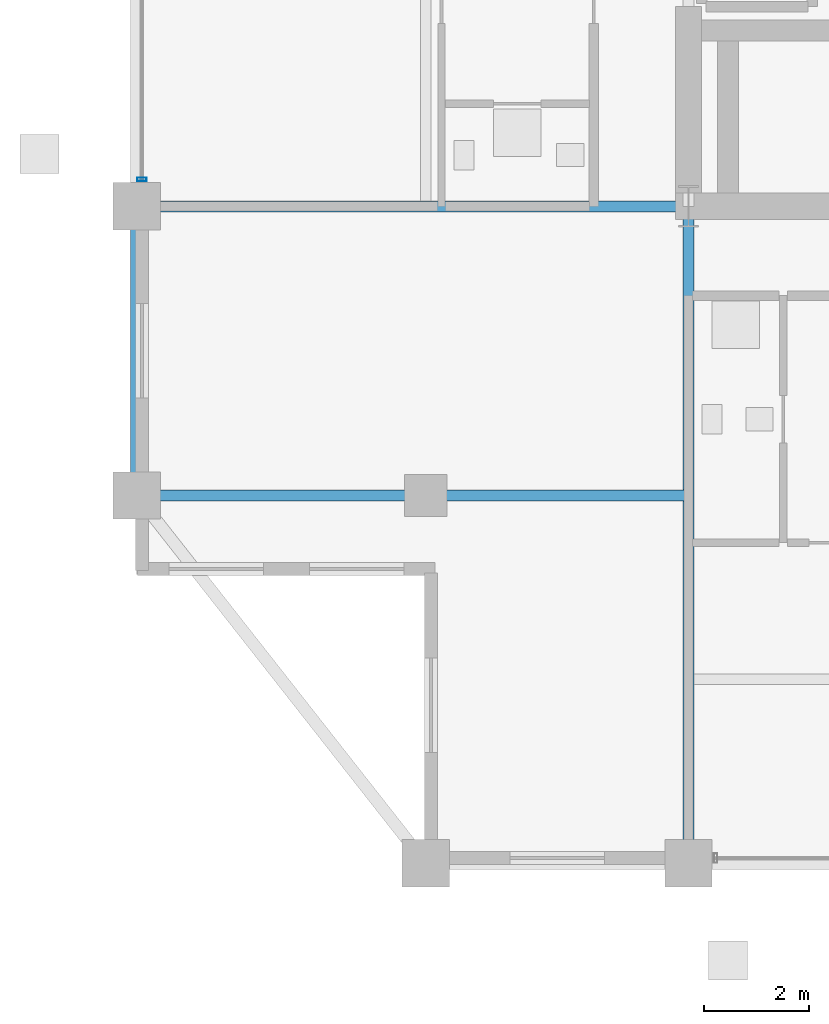
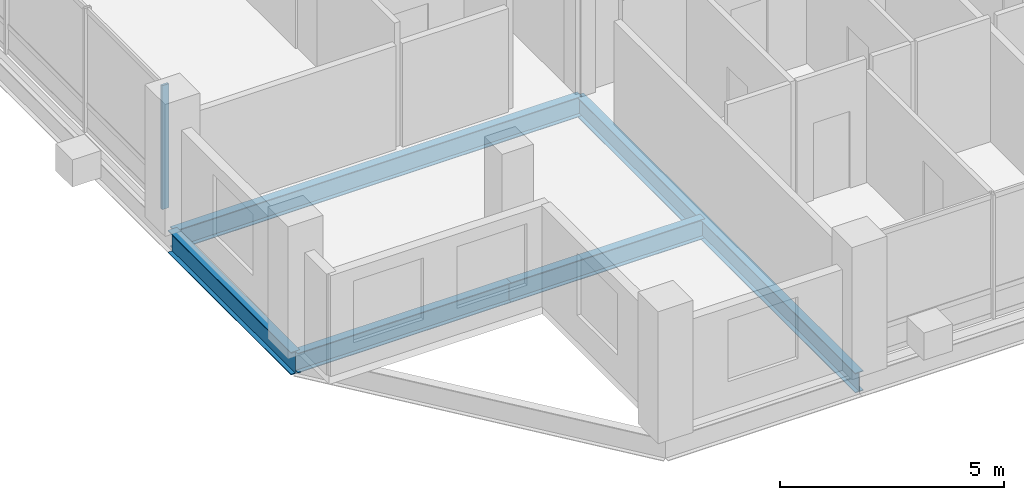
# One storey, part 3 of 22: 5 beams, 1 member, 1 element without a shape of its own.
"""IFC4 building model written with IfcOpenShell, lengths in metres."""

from ifc_helpers import new_model, si_unit, direction, frame, origin, origin_2d, place, context, subcontext, project, spatial, hollow_rectangle, i_section, extrude, material, layer, layer_set, material_profile, profile_set, type_object, element, aggregate, save


model = new_model("IFC4")

# Units and contexts
model_context = context("Model", 3, precision=1e-05, world=origin(), true_north=direction((0.0, 1.0)))
body_context = subcontext(model_context, "Body", "Model", "MODEL_VIEW")
ifc_project = project(units=[si_unit("LENGTHUNIT", "METRE"), si_unit("AREAUNIT", "SQUARE_METRE"), si_unit("VOLUMEUNIT", "CUBIC_METRE"), si_unit("PLANEANGLEUNIT", "RADIAN"), si_unit("MASSUNIT", "GRAM", prefix="KILO")], contexts=[model_context])

# Site, building, storey
site_placement = place(None, origin())
site = spatial("IfcSite", under=ifc_project, at=site_placement, CompositionType="ELEMENT")
building_placement = place(site_placement, origin())
building = spatial("IfcBuilding", under=site, at=building_placement, Name="Barlavira Tower and Art Museum", CompositionType="ELEMENT")
storey_placement = place(building_placement, frame((0.0, 0.0, 243.89990234375)))
storey = spatial("IfcBuildingStorey", under=building, at=storey_placement, Name="L63", CompositionType="ELEMENT", Elevation=243.89990234375)

# Curtain wall, member
ifc_material_1 = material(Name="Low-iron coastal laminated glass", Category="glass")
ifc_layer = layer(ifc_material_1, 0.2099609375, Name="Low-iron coastal laminated glass")
ifc_layer_set = layer_set([ifc_layer], Name="Low-iron coastal laminated glass")
curtain_wall_type = type_object("IfcCurtainWallType", Name="Pale-Metal Unitised Curtain Wall Zone 4", PredefinedType="NOTDEFINED", material=ifc_layer_set)
curtain_wall_placement = place(storey_placement, origin())
curtain_wall = element("IfcCurtainWall", 1, at=curtain_wall_placement, inside=storey, type_object=curtain_wall_type, Name="L63 Curtain Wall CW4-L63-W-B3", PredefinedType="NOTDEFINED")
ifc_material_2 = material(Name="Pale anodised aluminium", Category="aluminium")
ifc_material_profile_1 = material_profile(ifc_material_2, hollow_rectangle(XDim=0.06494140625, YDim=0.179931640625, WallThickness=0.00390625, at=origin_2d()), Name="ALU-MULL 65x180x4")
ifc_profile_set_1 = profile_set([ifc_material_profile_1], Name="Pale anodised aluminium")
member_type = type_object("IfcMemberType", Name="Curtain Wall Pale-Metal Mullion 65x180", PredefinedType="MULLION", material=ifc_profile_set_1)
member_placement = place(storey_placement, frame((-16.89990234375, -6.985107421875, 0.0), z_axis=(0.0, 0.0, 1.0), x_axis=(0.0, -1.0, 0.0)))
member = element("IfcMember", 2, at=member_placement, type_object=member_type, Name="CW4-L63-W-B3 Mullion 4", PredefinedType="MULLION", context=body_context, shape_type="SweptSolid", body=[
    extrude(hollow_rectangle(XDim=0.06494140625, YDim=0.179931640625, WallThickness=0.00390625, at=origin_2d()), origin(), (0.0, 0.0, 1.0), 3.380126953125),
])
aggregate(curtain_wall, [member])

# Beams
ifc_material_3 = material(Name="Steel S355", Category="steel")
ifc_material_profile_2 = material_profile(ifc_material_3, i_section(OverallWidth=0.22998046875, OverallDepth=0.616943359375, WebThickness=0.01318359375, FlangeThickness=0.022216796875, at=origin_2d()), Name="W610x140.0")
ifc_profile_set_2 = profile_set([ifc_material_profile_2], Name="Steel S355")
beam_type_1 = type_object("IfcBeamType", Name="Upper Shaft Spandrel Edge Beam W610x140 Steel S355", PredefinedType="SPANDREL", material=ifc_profile_set_2)
beam_1_placement = place(storey_placement, frame((-17.0, -13.0, -0.5283203125), z_axis=(0.0, 1.0, 0.0), x_axis=(-1.0, 0.0, 0.0)))
element("IfcBeam", 3, at=beam_1_placement, inside=storey, type_object=beam_type_1, Name="L63 Spandrel 15", PredefinedType="SPANDREL", context=body_context, shape_type="SweptSolid", body=[
    extrude(i_section(OverallWidth=0.22998046875, OverallDepth=0.616943359375, WebThickness=0.01318359375, FlangeThickness=0.022216796875, at=origin_2d()), origin(), (0.0, 0.0, 1.0), 5.5),
])
ifc_material_profile_3 = material_profile(ifc_material_3, i_section(OverallWidth=0.2109375, OverallDepth=0.5390625, WebThickness=0.01171875, FlangeThickness=0.018798828125, at=origin_2d()), Name="W530x109.0")
ifc_profile_set_3 = profile_set([ifc_material_profile_3], Name="Steel S355")
beam_type_2 = type_object("IfcBeamType", Name="Zone 3-4 Primary Floor Girder W530x109 Steel S355", PredefinedType="BEAM", material=ifc_profile_set_3)
beam_2_placement = place(storey_placement, frame((-6.5, -20.0, -0.489501953125), z_axis=(0.0, 1.0, 0.0), x_axis=(-1.0, 0.0, 0.0)))
element("IfcBeam", 4, at=beam_2_placement, inside=storey, type_object=beam_type_2, Name="L63 Girder R-S1", PredefinedType="BEAM", context=body_context, shape_type="SweptSolid", body=[
    extrude(i_section(OverallWidth=0.2109375, OverallDepth=0.5390625, WebThickness=0.01171875, FlangeThickness=0.018798828125, at=origin_2d()), origin(), (0.0, 0.0, 1.0), 12.5),
])
beam_3_placement = place(storey_placement, frame((-17.0, -7.5, -0.489501953125), z_axis=(1.0, 0.0, 0.0), x_axis=(0.0, 1.0, 0.0)))
element("IfcBeam", 5, at=beam_3_placement, inside=storey, type_object=beam_type_2, Name="L63 Girder R-W1", PredefinedType="BEAM", context=body_context, shape_type="SweptSolid", body=[
    extrude(i_section(OverallWidth=0.2109375, OverallDepth=0.5390625, WebThickness=0.01171875, FlangeThickness=0.018798828125, at=origin_2d()), origin(), (0.0, 0.0, 1.0), 10.5),
])
beam_4_placement = place(storey_placement, frame((-17.0, -13.0, -0.489501953125), z_axis=(1.0, 0.0, 0.0), x_axis=(0.0, 1.0, 0.0)))
element("IfcBeam", 6, at=beam_4_placement, inside=storey, type_object=beam_type_2, Name="L63 Girder I-S1", PredefinedType="BEAM", context=body_context, shape_type="SweptSolid", body=[
    extrude(i_section(OverallWidth=0.2109375, OverallDepth=0.5390625, WebThickness=0.01171875, FlangeThickness=0.018798828125, at=origin_2d()), origin(), (0.0, 0.0, 1.0), 5.5),
])
beam_5_placement = place(storey_placement, frame((-11.5, -13.0, -0.489501953125), z_axis=(1.0, 0.0, 0.0), x_axis=(0.0, 1.0, 0.0)))
element("IfcBeam", 7, at=beam_5_placement, inside=storey, type_object=beam_type_2, Name="L63 Girder I-S2", PredefinedType="BEAM", context=body_context, shape_type="SweptSolid", body=[
    extrude(i_section(OverallWidth=0.2109375, OverallDepth=0.5390625, WebThickness=0.01171875, FlangeThickness=0.018798828125, at=origin_2d()), origin(), (0.0, 0.0, 1.0), 5.0),
])

save(model, "model.ifc")
